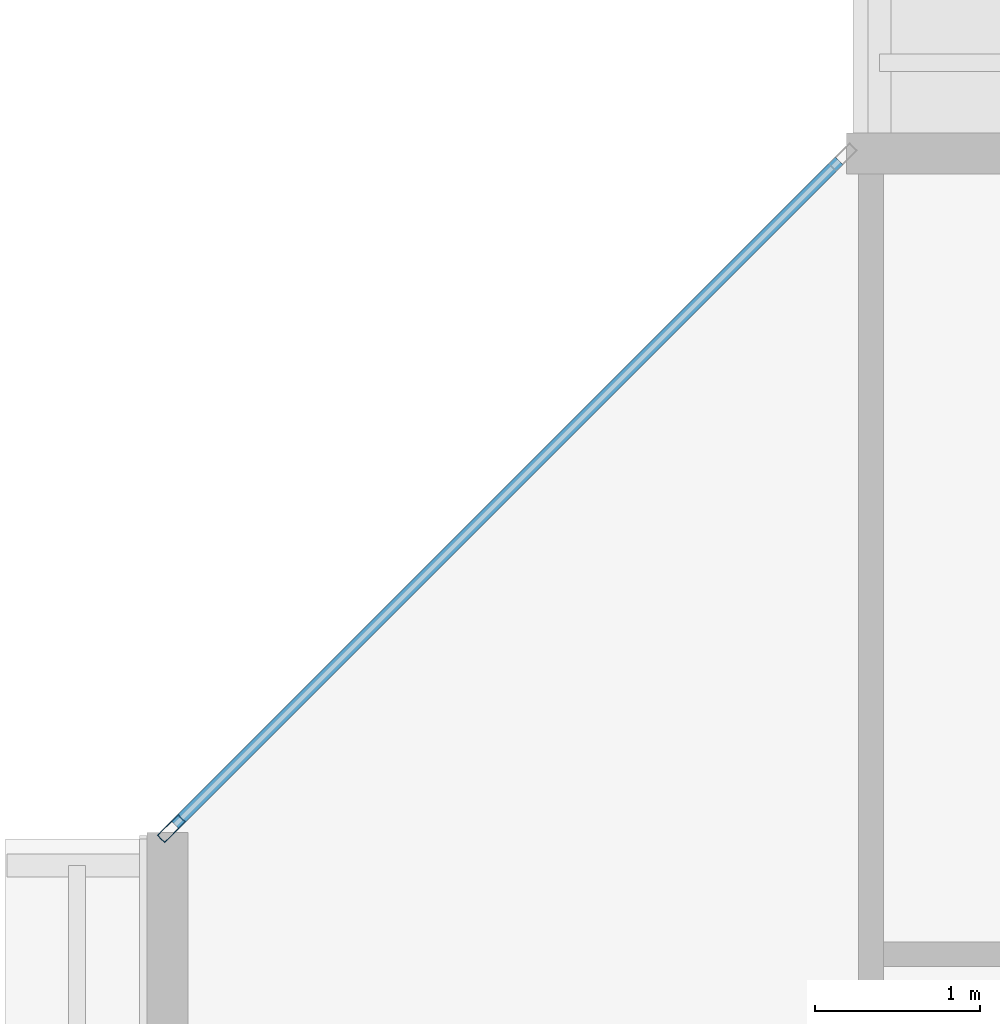
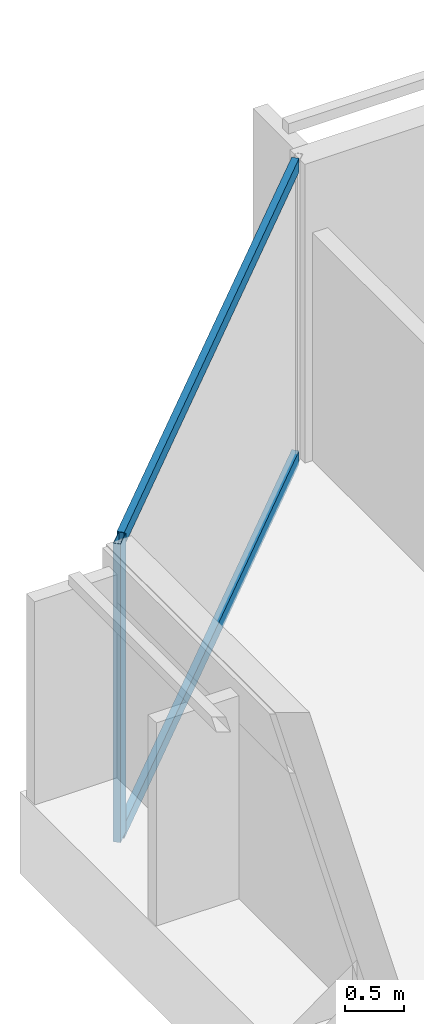
# One storey, part 8 of 35: 3 members, 1 element without a shape of its own.
"""IFC4 building model written with IfcOpenShell, lengths in metres."""

from ifc_helpers import new_model, si_unit, direction, frame, origin, origin_2d, place, context, subcontext, project, spatial, hollow_rectangle, extrude, material, layer, layer_set, material_profile, profile_set, type_object, element, aggregate, save


model = new_model("IFC4")

# Units and contexts
model_context = context("Model", 3, precision=1e-05, world=origin(), true_north=direction((0.0, 1.0)))
body_context = subcontext(model_context, "Body", "Model", "MODEL_VIEW")
ifc_project = project(units=[si_unit("LENGTHUNIT", "METRE"), si_unit("AREAUNIT", "SQUARE_METRE"), si_unit("VOLUMEUNIT", "CUBIC_METRE"), si_unit("PLANEANGLEUNIT", "RADIAN"), si_unit("MASSUNIT", "GRAM", prefix="KILO")], contexts=[model_context])

# Site, building, storey
site_placement = place(None, origin())
site = spatial("IfcSite", under=ifc_project, at=site_placement, CompositionType="ELEMENT")
building_placement = place(site_placement, origin())
building = spatial("IfcBuilding", under=site, at=building_placement, Name="Tanjung Sevakor Pilgrim Tower", CompositionType="ELEMENT")
storey_placement = place(building_placement, frame((0.0, 0.0, 92.070068359375)))
storey = spatial("IfcBuildingStorey", under=building, at=storey_placement, Name="L25", CompositionType="ELEMENT", Elevation=92.070068359375)

# Curtain wall, members
ifc_material_1 = material(Name="Aluminium 6063-T6 and Low-E Glass", Category="aluminium")
ifc_layer = layer(ifc_material_1, 0.179931640625)
ifc_layer_set = layer_set([ifc_layer], Name="CW-SYS-CHAM")
curtain_wall_type = type_object("IfcCurtainWallType", Name="CW-SYS-CHAM", PredefinedType="NOTDEFINED", material=ifc_layer_set)
curtain_wall_placement = place(storey_placement, origin())
curtain_wall = element("IfcCurtainWall", 1, at=curtain_wall_placement, inside=storey, type_object=curtain_wall_type, Name="L25 Curtain Wall CW-CHM-L25-MAIN-13", PredefinedType="NOTDEFINED")
ifc_material_2 = material(Name="Aluminium 6063-T6", Category="aluminium")
ifc_material_profile_1 = material_profile(ifc_material_2, hollow_rectangle(XDim=0.06494140625, YDim=0.179931640625, WallThickness=0.00390625, at=origin_2d()))
ifc_profile_set_1 = profile_set([ifc_material_profile_1], Name="Aluminium 6063-T6")
member_type_1 = type_object("IfcMemberType", Name="TYPE-CWM-1", PredefinedType="MULLION", material=ifc_profile_set_1)
member_1_placement = place(storey_placement, frame((17.347900390625, 53.37109375, 0.0), z_axis=(0.0, 0.0, 1.0), x_axis=(0.707106781187, -0.707106781187, 0.0)))
member_1 = element("IfcMember", 2, at=member_1_placement, type_object=member_type_1, Name="CW-CHM mullion 2", PredefinedType="MULLION", context=body_context, shape_type="SweptSolid", body=[
    extrude(hollow_rectangle(XDim=0.06494140625, YDim=0.179931640625, WallThickness=0.00390625, at=origin_2d()), origin(), (0.0, 0.0, 1.0), 3.079833984375),
])
ifc_material_3 = material(Name="Aluminium 6063-T6", Category="aluminium")
ifc_material_profile_2 = material_profile(ifc_material_3, hollow_rectangle(XDim=0.06494140625, YDim=0.139892578125, WallThickness=0.00390625, at=origin_2d()))
ifc_profile_set_2 = profile_set([ifc_material_profile_2], Name="Aluminium 6063-T6")
member_type_2 = type_object("IfcMemberType", Name="TYPE-CWT-1", PredefinedType="USERDEFINED", material=ifc_profile_set_2)
member_2_placement = place(storey_placement, frame((21.40576171875, 57.428955078125, 0.032470703125), z_axis=(-0.707106781187, -0.707106781187, 0.0), x_axis=(0.707106781187, -0.707106781187, 0.0)))
member_2 = element("IfcMember", 3, at=member_2_placement, type_object=member_type_2, Name="CW-CHM transom 1.1", ObjectType="TRANSOM", PredefinedType="USERDEFINED", context=body_context, shape_type="SweptSolid", body=[
    extrude(hollow_rectangle(XDim=0.06494140625, YDim=0.139892578125, WallThickness=0.00390625, at=origin_2d()), origin(), (0.0, 0.0, 1.0), 5.706298828125),
])
member_3_placement = place(storey_placement, frame((21.40576171875, 57.428955078125, 3.04736328125), z_axis=(-0.707106781187, -0.707106781187, 0.0), x_axis=(0.707106781187, -0.707106781187, 0.0)))
member_3 = element("IfcMember", 4, at=member_3_placement, type_object=member_type_2, Name="CW-CHM transom 1.2", ObjectType="TRANSOM", PredefinedType="USERDEFINED", context=body_context, shape_type="SweptSolid", body=[
    extrude(hollow_rectangle(XDim=0.06494140625, YDim=0.139892578125, WallThickness=0.00390625, at=origin_2d()), origin(), (0.0, 0.0, 1.0), 5.706298828125),
])
aggregate(curtain_wall, [member_1, member_2, member_3])

save(model, "model.ifc")
